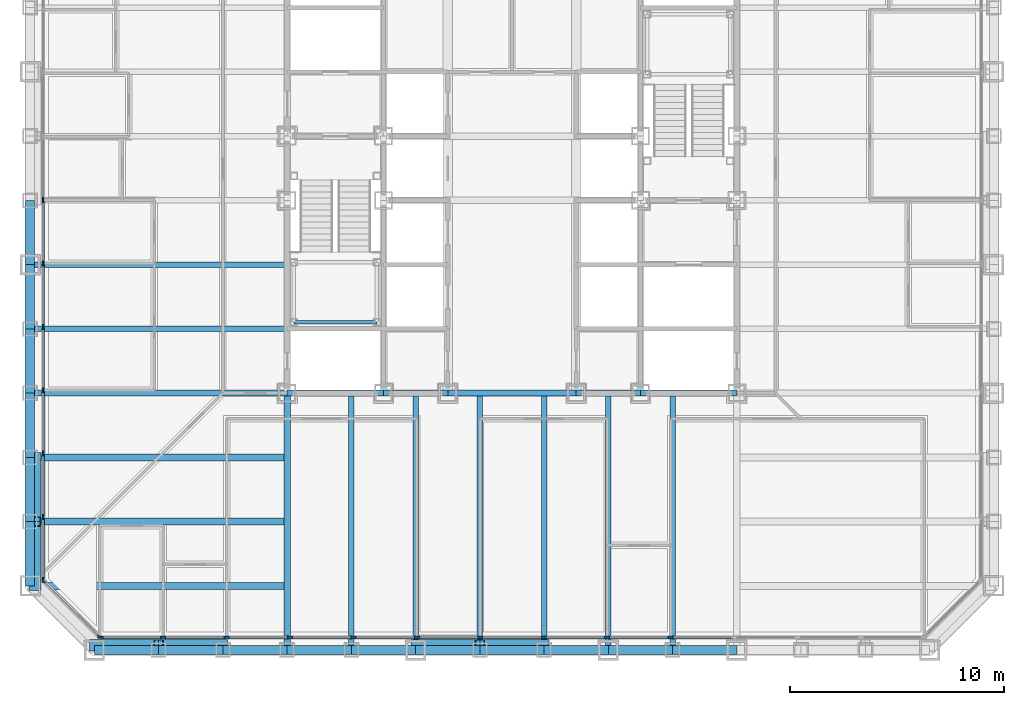
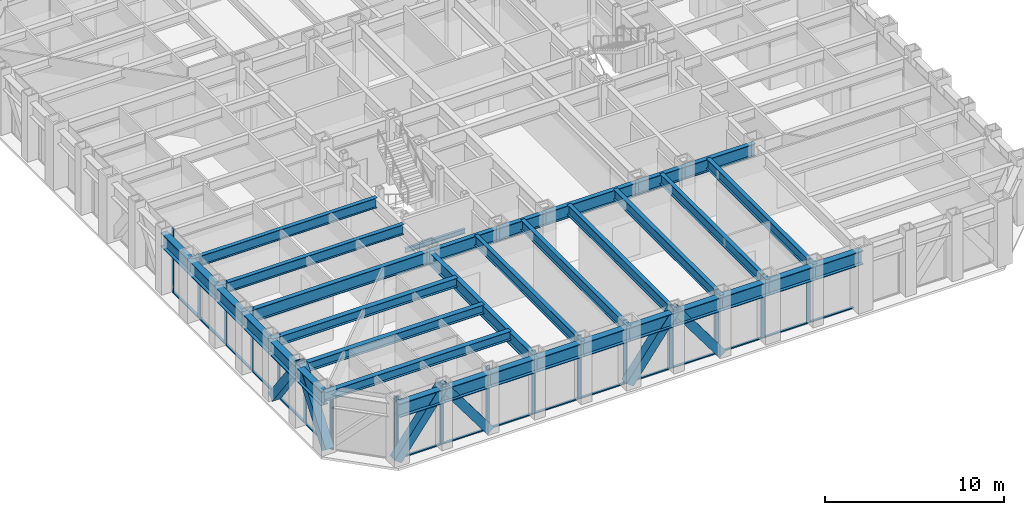
# One storey, part 2 of 17: 41 members, 35 beams, 3 elements without a shape of their own.
"""IFC4 building model written with IfcOpenShell, lengths in metres."""

from ifc_helpers import new_model, si_unit, direction, frame, origin, origin_2d, place, context, subcontext, project, spatial, rectangle, hollow_rectangle, i_section, extrude, material, layer, layer_set, material_profile, profile_set, type_object, element, aggregate, save


model = new_model("IFC4")

# Units and contexts
model_context = context("Model", 3, precision=1e-05, world=origin(), true_north=direction((0.0, 1.0)))
body_context = subcontext(model_context, "Body", "Model", "MODEL_VIEW")
ifc_project = project(units=[si_unit("LENGTHUNIT", "METRE"), si_unit("AREAUNIT", "SQUARE_METRE"), si_unit("VOLUMEUNIT", "CUBIC_METRE"), si_unit("PLANEANGLEUNIT", "RADIAN"), si_unit("MASSUNIT", "GRAM", prefix="KILO")], contexts=[model_context])

# Site, building, storey
site_placement = place(None, origin())
site = spatial("IfcSite", under=ifc_project, at=site_placement, CompositionType="ELEMENT")
building_placement = place(site_placement, origin())
building = spatial("IfcBuilding", under=site, at=building_placement, Name="Chuquiago Exchange Tower", CompositionType="ELEMENT")
storey_placement = place(building_placement, frame((0.0, 0.0, 69.300048828125)))
storey = spatial("IfcBuildingStorey", under=building, at=storey_placement, Name="L14", CompositionType="ELEMENT", Elevation=69.300048828125)

# Beams
ifc_material_1 = material(Name="Steel ASTM A992", Category="steel")
ifc_material_profile_1 = material_profile(ifc_material_1, i_section(OverallWidth=0.2919921875, OverallDepth=0.8583984375, WebThickness=0.01708984375, FlangeThickness=0.031005859375, at=origin_2d()), Name="W33X169")
ifc_profile_set_1 = profile_set([ifc_material_profile_1], Name="Steel ASTM A992")
beam_type_1 = type_object("IfcBeamType", Name="B3 W33X169", PredefinedType="BEAM", material=ifc_profile_set_1)
beam_1_placement = place(storey_placement, frame((12.0, 12.0, 3.610595703125), z_axis=(1.0, 0.0, 0.0), x_axis=(0.0, 1.0, 0.0)))
element("IfcBeam", 1, at=beam_1_placement, inside=storey, type_object=beam_type_1, Name="CB-L15-12_12-16.5_12", PredefinedType="BEAM", context=body_context, shape_type="SweptSolid", body=[
    extrude(i_section(OverallWidth=0.2919921875, OverallDepth=0.8583984375, WebThickness=0.01708984375, FlangeThickness=0.031005859375, at=origin_2d()), origin(), (0.0, 0.0, 1.0), 4.5),
])
beam_2_placement = place(storey_placement, frame((16.5, 12.0, 3.610595703125), z_axis=(1.0, 0.0, 0.0), x_axis=(0.0, 1.0, 0.0)))
element("IfcBeam", 2, at=beam_2_placement, inside=storey, type_object=beam_type_1, Name="CB-L15-16.5_12-19.5_12", PredefinedType="BEAM", context=body_context, shape_type="SweptSolid", body=[
    extrude(i_section(OverallWidth=0.2919921875, OverallDepth=0.8583984375, WebThickness=0.01708984375, FlangeThickness=0.031005859375, at=origin_2d()), origin(), (0.0, 0.0, 1.0), 3.0),
])
beam_3_placement = place(storey_placement, frame((19.5, 12.0, 3.610595703125), z_axis=(1.0, 0.0, 0.0), x_axis=(0.0, 1.0, 0.0)))
element("IfcBeam", 3, at=beam_3_placement, inside=storey, type_object=beam_type_1, Name="CB-L15-19.5_12-25.5_12", PredefinedType="BEAM", context=body_context, shape_type="SweptSolid", body=[
    extrude(i_section(OverallWidth=0.2919921875, OverallDepth=0.8583984375, WebThickness=0.01708984375, FlangeThickness=0.031005859375, at=origin_2d()), origin(), (0.0, 0.0, 1.0), 6.0),
])
beam_4_placement = place(storey_placement, frame((25.5, 12.0, 3.610595703125), z_axis=(1.0, 0.0, 0.0), x_axis=(0.0, 1.0, 0.0)))
element("IfcBeam", 4, at=beam_4_placement, inside=storey, type_object=beam_type_1, Name="CB-L15-25.5_12-28.5_12", PredefinedType="BEAM", context=body_context, shape_type="SweptSolid", body=[
    extrude(i_section(OverallWidth=0.2919921875, OverallDepth=0.8583984375, WebThickness=0.01708984375, FlangeThickness=0.031005859375, at=origin_2d()), origin(), (0.0, 0.0, 1.0), 3.0),
])
beam_5_placement = place(storey_placement, frame((28.5, 12.0, 3.610595703125), z_axis=(1.0, 0.0, 0.0), x_axis=(0.0, 1.0, 0.0)))
element("IfcBeam", 5, at=beam_5_placement, inside=storey, type_object=beam_type_1, Name="CB-L15-28.5_12-33_12", PredefinedType="BEAM", context=body_context, shape_type="SweptSolid", body=[
    extrude(i_section(OverallWidth=0.2919921875, OverallDepth=0.8583984375, WebThickness=0.01708984375, FlangeThickness=0.031005859375, at=origin_2d()), origin(), (0.0, 0.0, 1.0), 4.5),
])
ifc_material_2 = material(Name="Steel ASTM A992", Category="steel")
ifc_material_profile_2 = material_profile(ifc_material_2, i_section(OverallWidth=0.256591796875, OverallDepth=0.693359375, WebThickness=0.014404296875, FlangeThickness=0.023681640625, at=origin_2d()), Name="W27X114")
ifc_profile_set_2 = profile_set([ifc_material_profile_2], Name="Steel ASTM A992")
beam_type_2 = type_object("IfcBeamType", Name="B4 W27X114", PredefinedType="BEAM", material=ifc_profile_set_2)
for number, where, z_axis, x_axis, name in (
    (6, (15.0, 12.0, 3.693359375), (0.0, -1.0, 0.0), (1.0, 0.0, 0.0), "FB-L15-infill-15_12-15_-0-0"),
    (7, (18.0, 12.0, 3.693359375), (0.0, -1.0, 0.0), (1.0, 0.0, 0.0), "FB-L15-infill-18_12-18_-0-0"),
    (8, (21.0, 12.0, 3.693359375), (0.0, -1.0, 0.0), (1.0, 0.0, 0.0), "FB-L15-infill-21_12-21_-0-0"),
    (9, (24.0, 12.0, 3.693359375), (0.0, -1.0, 0.0), (1.0, 0.0, 0.0), "FB-L15-infill-24_12-24_-0-0"),
    (10, (27.0, 12.0, 3.693359375), (0.0, -1.0, 0.0), (1.0, 0.0, 0.0), "FB-L15-infill-27_12-27_-0-0"),
    (11, (30.0, 12.0, 3.693359375), (0.0, -1.0, 0.0), (1.0, 0.0, 0.0), "FB-L15-infill-30_12-30_-0-0"),
    (12, (12.0, 15.0, 3.693359375), (-1.0, 0.0, 0.0), (0.0, -1.0, 0.0), "FB-L15-infill-12_15--0_15-0"),
    (13, (12.0, 18.0, 3.693359375), (-1.0, 0.0, 0.0), (0.0, -1.0, 0.0), "FB-L15-infill-12_18--0_18-0"),
):
    element("IfcBeam", number, at=place(storey_placement, frame(where, z_axis=z_axis, x_axis=x_axis)), inside=storey, type_object=beam_type_2, Name=name, PredefinedType="BEAM", context=body_context, shape_type="SweptSolid", body=[
        extrude(i_section(OverallWidth=0.256591796875, OverallDepth=0.693359375, WebThickness=0.014404296875, FlangeThickness=0.023681640625, at=origin_2d()), origin(), (0.0, 0.0, 1.0), 12.0),
    ])
ifc_material_3 = material(Name="Steel ASTM A992", Category="steel")
ifc_material_profile_3 = material_profile(ifc_material_3, i_section(OverallWidth=0.3251953125, OverallDepth=0.6171875, WebThickness=0.013916015625, FlangeThickness=0.021484375, at=origin_2d()), Name="W24X117")
ifc_profile_set_3 = profile_set([ifc_material_profile_3], Name="Steel ASTM A992")
beam_type_3 = type_object("IfcBeamType", Name="B5 W24X117", PredefinedType="BEAM", material=ifc_profile_set_3)
for number, where, z_axis, x_axis, name in (
    (14, (12.0, 3.0, 3.7314453125), (-1.0, 0.0, 0.0), (0.0, -1.0, 0.0), "FB-L15-corner-12_3--0_3-0"),
    (15, (12.0, 6.0, 3.7314453125), (-1.0, 0.0, 0.0), (0.0, -1.0, 0.0), "FB-L15-corner-12_6--0_6-0"),
    (16, (12.0, 9.0, 3.7314453125), (-1.0, 0.0, 0.0), (0.0, -1.0, 0.0), "FB-L15-corner-12_9--0_9-0"),
):
    element("IfcBeam", number, at=place(storey_placement, frame(where, z_axis=z_axis, x_axis=x_axis)), inside=storey, type_object=beam_type_3, Name=name, PredefinedType="BEAM", context=body_context, shape_type="SweptSolid", body=[
        extrude(i_section(OverallWidth=0.3251953125, OverallDepth=0.6171875, WebThickness=0.013916015625, FlangeThickness=0.021484375, at=origin_2d()), origin(), (0.0, 0.0, 1.0), 12.0),
    ])

# Curtain wall, members
ifc_material_4 = material(Name="Aluminium curtain wall system", Category="aluminium")
ifc_layer_1 = layer(ifc_material_4, 0.25)
ifc_layer_set_1 = layer_set([ifc_layer_1], Name="CW1 trading floor curtain wall")
curtain_wall_type_1 = type_object("IfcCurtainWallType", Name="CW1 trading floor curtain wall", PredefinedType="NOTDEFINED", material=ifc_layer_set_1)
curtain_wall_1_placement = place(storey_placement, origin())
curtain_wall_1 = element("IfcCurtainWall", 17, at=curtain_wall_1_placement, inside=storey, type_object=curtain_wall_type_1, Name="CW1 curtain wall L14", PredefinedType="NOTDEFINED")
ifc_material_5 = material(Name="Aluminium mullion, pale anodised", Category="aluminium")
ifc_material_profile_4 = material_profile(ifc_material_5, rectangle(XDim=0.074951171875, YDim=0.25, at=origin_2d()), Name="AL 75x250")
ifc_profile_set_4 = profile_set([ifc_material_profile_4], Name="Aluminium mullion, pale anodised")
member_type_1 = type_object("IfcMemberType", Name="CW1-M mullion 75x250", PredefinedType="MULLION", material=ifc_profile_set_4)
member_1_placement = place(storey_placement, frame((3.285888671875, 0.60009765625, -0.300048828125), z_axis=(0.0, 0.0, 1.0), x_axis=(0.0, 1.0, 0.0)))
member_1 = element("IfcMember", 18, at=member_1_placement, type_object=member_type_1, Name="CW1 mullion 1", PredefinedType="MULLION", context=body_context, shape_type="SweptSolid", body=[
    extrude(rectangle(XDim=0.074951171875, YDim=0.25, at=origin_2d()), origin(), (0.0, 0.0, 1.0), 4.340087890625),
])
member_2_placement = place(storey_placement, frame((6.210205078125, 0.60009765625, -0.300048828125), z_axis=(0.0, 0.0, 1.0), x_axis=(0.0, 1.0, 0.0)))
member_2 = element("IfcMember", 19, at=member_2_placement, type_object=member_type_1, Name="CW1 mullion 2", PredefinedType="MULLION", context=body_context, shape_type="SweptSolid", body=[
    extrude(rectangle(XDim=0.074951171875, YDim=0.25, at=origin_2d()), origin(), (0.0, 0.0, 1.0), 4.340087890625),
])
member_3_placement = place(storey_placement, frame((9.172119140625, 0.60009765625, -0.300048828125), z_axis=(0.0, 0.0, 1.0), x_axis=(0.0, 1.0, 0.0)))
member_3 = element("IfcMember", 20, at=member_3_placement, type_object=member_type_1, Name="CW1 mullion 3", PredefinedType="MULLION", context=body_context, shape_type="SweptSolid", body=[
    extrude(rectangle(XDim=0.074951171875, YDim=0.25, at=origin_2d()), origin(), (0.0, 0.0, 1.0), 4.340087890625),
])
member_4_placement = place(storey_placement, frame((12.1337890625, 0.60009765625, -0.300048828125), z_axis=(0.0, 0.0, 1.0), x_axis=(0.0, 1.0, 0.0)))
member_4 = element("IfcMember", 21, at=member_4_placement, type_object=member_type_1, Name="CW1 mullion 4", PredefinedType="MULLION", context=body_context, shape_type="SweptSolid", body=[
    extrude(rectangle(XDim=0.074951171875, YDim=0.25, at=origin_2d()), origin(), (0.0, 0.0, 1.0), 4.340087890625),
])
member_5_placement = place(storey_placement, frame((15.095458984375, 0.60009765625, -0.300048828125), z_axis=(0.0, 0.0, 1.0), x_axis=(0.0, 1.0, 0.0)))
member_5 = element("IfcMember", 22, at=member_5_placement, type_object=member_type_1, Name="CW1 mullion 5", PredefinedType="MULLION", context=body_context, shape_type="SweptSolid", body=[
    extrude(rectangle(XDim=0.074951171875, YDim=0.25, at=origin_2d()), origin(), (0.0, 0.0, 1.0), 4.340087890625),
])
member_6_placement = place(storey_placement, frame((18.057373046875, 0.60009765625, -0.300048828125), z_axis=(0.0, 0.0, 1.0), x_axis=(0.0, 1.0, 0.0)))
member_6 = element("IfcMember", 23, at=member_6_placement, type_object=member_type_1, Name="CW1 mullion 6", PredefinedType="MULLION", context=body_context, shape_type="SweptSolid", body=[
    extrude(rectangle(XDim=0.074951171875, YDim=0.25, at=origin_2d()), origin(), (0.0, 0.0, 1.0), 4.340087890625),
])
member_7_placement = place(storey_placement, frame((21.01904296875, 0.60009765625, -0.300048828125), z_axis=(0.0, 0.0, 1.0), x_axis=(0.0, 1.0, 0.0)))
member_7 = element("IfcMember", 24, at=member_7_placement, type_object=member_type_1, Name="CW1 mullion 7", PredefinedType="MULLION", context=body_context, shape_type="SweptSolid", body=[
    extrude(rectangle(XDim=0.074951171875, YDim=0.25, at=origin_2d()), origin(), (0.0, 0.0, 1.0), 4.340087890625),
])
member_8_placement = place(storey_placement, frame((23.98095703125, 0.60009765625, -0.300048828125), z_axis=(0.0, 0.0, 1.0), x_axis=(0.0, 1.0, 0.0)))
member_8 = element("IfcMember", 25, at=member_8_placement, type_object=member_type_1, Name="CW1 mullion 8", PredefinedType="MULLION", context=body_context, shape_type="SweptSolid", body=[
    extrude(rectangle(XDim=0.074951171875, YDim=0.25, at=origin_2d()), origin(), (0.0, 0.0, 1.0), 4.340087890625),
])
member_9_placement = place(storey_placement, frame((26.942626953125, 0.60009765625, -0.300048828125), z_axis=(0.0, 0.0, 1.0), x_axis=(0.0, 1.0, 0.0)))
member_9 = element("IfcMember", 26, at=member_9_placement, type_object=member_type_1, Name="CW1 mullion 9", PredefinedType="MULLION", context=body_context, shape_type="SweptSolid", body=[
    extrude(rectangle(XDim=0.074951171875, YDim=0.25, at=origin_2d()), origin(), (0.0, 0.0, 1.0), 4.340087890625),
])
member_10_placement = place(storey_placement, frame((29.904541015625, 0.60009765625, -0.300048828125), z_axis=(0.0, 0.0, 1.0), x_axis=(0.0, 1.0, 0.0)))
member_10 = element("IfcMember", 27, at=member_10_placement, type_object=member_type_1, Name="CW1 mullion 10", PredefinedType="MULLION", context=body_context, shape_type="SweptSolid", body=[
    extrude(rectangle(XDim=0.074951171875, YDim=0.25, at=origin_2d()), origin(), (0.0, 0.0, 1.0), 4.340087890625),
])

curtain_wall_2_placement = place(storey_placement, origin())
curtain_wall_2 = element("IfcCurtainWall", 28, at=curtain_wall_2_placement, inside=storey, type_object=curtain_wall_type_1, Name="CW1 curtain wall L14", PredefinedType="NOTDEFINED")
member_11_placement = place(storey_placement, frame((0.60009765625, 21.01904296875, -0.300048828125), z_axis=(0.0, 0.0, 1.0), x_axis=(1.0, 0.0, 0.0)))
member_11 = element("IfcMember", 29, at=member_11_placement, type_object=member_type_1, Name="CW1 mullion 8", PredefinedType="MULLION", context=body_context, shape_type="SweptSolid", body=[
    extrude(rectangle(XDim=0.074951171875, YDim=0.25, at=origin_2d()), origin(), (0.0, 0.0, 1.0), 4.340087890625),
])
member_12_placement = place(storey_placement, frame((0.60009765625, 18.057373046875, -0.300048828125), z_axis=(0.0, 0.0, 1.0), x_axis=(1.0, 0.0, 0.0)))
member_12 = element("IfcMember", 30, at=member_12_placement, type_object=member_type_1, Name="CW1 mullion 9", PredefinedType="MULLION", context=body_context, shape_type="SweptSolid", body=[
    extrude(rectangle(XDim=0.074951171875, YDim=0.25, at=origin_2d()), origin(), (0.0, 0.0, 1.0), 4.340087890625),
])
member_13_placement = place(storey_placement, frame((0.60009765625, 15.095458984375, -0.300048828125), z_axis=(0.0, 0.0, 1.0), x_axis=(1.0, 0.0, 0.0)))
member_13 = element("IfcMember", 31, at=member_13_placement, type_object=member_type_1, Name="CW1 mullion 10", PredefinedType="MULLION", context=body_context, shape_type="SweptSolid", body=[
    extrude(rectangle(XDim=0.074951171875, YDim=0.25, at=origin_2d()), origin(), (0.0, 0.0, 1.0), 4.340087890625),
])
member_14_placement = place(storey_placement, frame((0.60009765625, 12.1337890625, -0.300048828125), z_axis=(0.0, 0.0, 1.0), x_axis=(1.0, 0.0, 0.0)))
member_14 = element("IfcMember", 32, at=member_14_placement, type_object=member_type_1, Name="CW1 mullion 11", PredefinedType="MULLION", context=body_context, shape_type="SweptSolid", body=[
    extrude(rectangle(XDim=0.074951171875, YDim=0.25, at=origin_2d()), origin(), (0.0, 0.0, 1.0), 4.340087890625),
])
member_15_placement = place(storey_placement, frame((0.60009765625, 9.172119140625, -0.300048828125), z_axis=(0.0, 0.0, 1.0), x_axis=(1.0, 0.0, 0.0)))
member_15 = element("IfcMember", 33, at=member_15_placement, type_object=member_type_1, Name="CW1 mullion 12", PredefinedType="MULLION", context=body_context, shape_type="SweptSolid", body=[
    extrude(rectangle(XDim=0.074951171875, YDim=0.25, at=origin_2d()), origin(), (0.0, 0.0, 1.0), 4.340087890625),
])
member_16_placement = place(storey_placement, frame((0.60009765625, 6.210205078125, -0.300048828125), z_axis=(0.0, 0.0, 1.0), x_axis=(1.0, 0.0, 0.0)))
member_16 = element("IfcMember", 34, at=member_16_placement, type_object=member_type_1, Name="CW1 mullion 13", PredefinedType="MULLION", context=body_context, shape_type="SweptSolid", body=[
    extrude(rectangle(XDim=0.074951171875, YDim=0.25, at=origin_2d()), origin(), (0.0, 0.0, 1.0), 4.340087890625),
])
member_17_placement = place(storey_placement, frame((0.60009765625, 3.285888671875, -0.300048828125), z_axis=(0.0, 0.0, 1.0), x_axis=(1.0, 0.0, 0.0)))
member_17 = element("IfcMember", 35, at=member_17_placement, type_object=member_type_1, Name="CW1 mullion 14", PredefinedType="MULLION", context=body_context, shape_type="SweptSolid", body=[
    extrude(rectangle(XDim=0.074951171875, YDim=0.25, at=origin_2d()), origin(), (0.0, 0.0, 1.0), 4.340087890625),
])

# Member
ifc_material_6 = material(Name="Aluminium transom, pale anodised", Category="aluminium")
ifc_material_profile_5 = material_profile(ifc_material_6, rectangle(XDim=0.14990234375, YDim=0.074951171875, at=origin_2d()), Name="AL 150x75")
ifc_profile_set_5 = profile_set([ifc_material_profile_5], Name="Aluminium transom, pale anodised")
member_type_2 = type_object("IfcMemberType", Name="CW1-T transom 75x150", PredefinedType="MULLION", material=ifc_profile_set_5)
member_18_placement = place(storey_placement, frame((3.323486328125, 0.60009765625, -0.262451171875), z_axis=(1.0, 0.0, 0.0), x_axis=(0.0, 1.0, 0.0)))
member_18 = element("IfcMember", 36, at=member_18_placement, type_object=member_type_2, Name="CW1 transom 1.1", PredefinedType="MULLION", context=body_context, shape_type="SweptSolid", body=[
    extrude(rectangle(XDim=0.14990234375, YDim=0.074951171875, at=origin_2d()), origin(), (0.0, 0.0, 1.0), 2.849365234375),
])

member_19_placement = place(storey_placement, frame((6.247802734375, 0.60009765625, -0.262451171875), z_axis=(1.0, 0.0, 0.0), x_axis=(0.0, 1.0, 0.0)))
member_19 = element("IfcMember", 37, at=member_19_placement, type_object=member_type_2, Name="CW1 transom 2.1", PredefinedType="MULLION", context=body_context, shape_type="SweptSolid", body=[
    extrude(rectangle(XDim=0.14990234375, YDim=0.074951171875, at=origin_2d()), origin(), (0.0, 0.0, 1.0), 2.88671875),
])

member_20_placement = place(storey_placement, frame((9.20947265625, 0.60009765625, -0.262451171875), z_axis=(1.0, 0.0, 0.0), x_axis=(0.0, 1.0, 0.0)))
member_20 = element("IfcMember", 38, at=member_20_placement, type_object=member_type_2, Name="CW1 transom 3.1", PredefinedType="MULLION", context=body_context, shape_type="SweptSolid", body=[
    extrude(rectangle(XDim=0.14990234375, YDim=0.074951171875, at=origin_2d()), origin(), (0.0, 0.0, 1.0), 2.88671875),
])

member_21_placement = place(storey_placement, frame((12.17138671875, 0.60009765625, -0.262451171875), z_axis=(1.0, 0.0, 0.0), x_axis=(0.0, 1.0, 0.0)))
member_21 = element("IfcMember", 39, at=member_21_placement, type_object=member_type_2, Name="CW1 transom 4.1", PredefinedType="MULLION", context=body_context, shape_type="SweptSolid", body=[
    extrude(rectangle(XDim=0.14990234375, YDim=0.074951171875, at=origin_2d()), origin(), (0.0, 0.0, 1.0), 2.88671875),
])

member_22_placement = place(storey_placement, frame((15.133056640625, 0.60009765625, -0.262451171875), z_axis=(1.0, 0.0, 0.0), x_axis=(0.0, 1.0, 0.0)))
member_22 = element("IfcMember", 40, at=member_22_placement, type_object=member_type_2, Name="CW1 transom 5.1", PredefinedType="MULLION", context=body_context, shape_type="SweptSolid", body=[
    extrude(rectangle(XDim=0.14990234375, YDim=0.074951171875, at=origin_2d()), origin(), (0.0, 0.0, 1.0), 2.88671875),
])

member_23_placement = place(storey_placement, frame((18.0947265625, 0.60009765625, -0.262451171875), z_axis=(1.0, 0.0, 0.0), x_axis=(0.0, 1.0, 0.0)))
member_23 = element("IfcMember", 41, at=member_23_placement, type_object=member_type_2, Name="CW1 transom 6.1", PredefinedType="MULLION", context=body_context, shape_type="SweptSolid", body=[
    extrude(rectangle(XDim=0.14990234375, YDim=0.074951171875, at=origin_2d()), origin(), (0.0, 0.0, 1.0), 2.886962890625),
])

member_24_placement = place(storey_placement, frame((21.056640625, 0.60009765625, -0.262451171875), z_axis=(1.0, 0.0, 0.0), x_axis=(0.0, 1.0, 0.0)))
member_24 = element("IfcMember", 42, at=member_24_placement, type_object=member_type_2, Name="CW1 transom 7.1", PredefinedType="MULLION", context=body_context, shape_type="SweptSolid", body=[
    extrude(rectangle(XDim=0.14990234375, YDim=0.074951171875, at=origin_2d()), origin(), (0.0, 0.0, 1.0), 2.88671875),
])

member_25_placement = place(storey_placement, frame((24.018310546875, 0.60009765625, -0.262451171875), z_axis=(1.0, 0.0, 0.0), x_axis=(0.0, 1.0, 0.0)))
member_25 = element("IfcMember", 43, at=member_25_placement, type_object=member_type_2, Name="CW1 transom 8.1", PredefinedType="MULLION", context=body_context, shape_type="SweptSolid", body=[
    extrude(rectangle(XDim=0.14990234375, YDim=0.074951171875, at=origin_2d()), origin(), (0.0, 0.0, 1.0), 2.886962890625),
])

member_26_placement = place(storey_placement, frame((26.980224609375, 0.60009765625, -0.262451171875), z_axis=(1.0, 0.0, 0.0), x_axis=(0.0, 1.0, 0.0)))
member_26 = element("IfcMember", 44, at=member_26_placement, type_object=member_type_2, Name="CW1 transom 9.1", PredefinedType="MULLION", context=body_context, shape_type="SweptSolid", body=[
    extrude(rectangle(XDim=0.14990234375, YDim=0.074951171875, at=origin_2d()), origin(), (0.0, 0.0, 1.0), 2.88671875),
])

member_27_placement = place(storey_placement, frame((29.94189453125, 0.60009765625, -0.262451171875), z_axis=(1.0, 0.0, 0.0), x_axis=(0.0, 1.0, 0.0)))
member_27 = element("IfcMember", 45, at=member_27_placement, type_object=member_type_2, Name="CW1 transom 10.1", PredefinedType="MULLION", context=body_context, shape_type="SweptSolid", body=[
    extrude(rectangle(XDim=0.14990234375, YDim=0.074951171875, at=origin_2d()), origin(), (0.0, 0.0, 1.0), 2.88671875),
])

aggregate(curtain_wall_1, [member_1, member_2, member_3, member_4, member_5, member_6, member_7, member_8, member_9, member_10, member_18, member_19, member_20, member_21, member_22, member_23, member_24, member_25, member_26, member_27])

member_28_placement = place(storey_placement, frame((0.60009765625, 20.981689453125, -0.262451171875), z_axis=(0.0, -1.0, 0.0), x_axis=(1.0, 0.0, 0.0)))
member_28 = element("IfcMember", 46, at=member_28_placement, type_object=member_type_2, Name="CW1 transom 8.1", PredefinedType="MULLION", context=body_context, shape_type="SweptSolid", body=[
    extrude(rectangle(XDim=0.14990234375, YDim=0.074951171875, at=origin_2d()), origin(), (0.0, 0.0, 1.0), 2.886962890625),
])

member_29_placement = place(storey_placement, frame((0.60009765625, 18.019775390625, -0.262451171875), z_axis=(0.0, -1.0, 0.0), x_axis=(1.0, 0.0, 0.0)))
member_29 = element("IfcMember", 47, at=member_29_placement, type_object=member_type_2, Name="CW1 transom 9.1", PredefinedType="MULLION", context=body_context, shape_type="SweptSolid", body=[
    extrude(rectangle(XDim=0.14990234375, YDim=0.074951171875, at=origin_2d()), origin(), (0.0, 0.0, 1.0), 2.88671875),
])

member_30_placement = place(storey_placement, frame((0.60009765625, 15.05810546875, -0.262451171875), z_axis=(0.0, -1.0, 0.0), x_axis=(1.0, 0.0, 0.0)))
member_30 = element("IfcMember", 48, at=member_30_placement, type_object=member_type_2, Name="CW1 transom 10.1", PredefinedType="MULLION", context=body_context, shape_type="SweptSolid", body=[
    extrude(rectangle(XDim=0.14990234375, YDim=0.074951171875, at=origin_2d()), origin(), (0.0, 0.0, 1.0), 2.88671875),
])

member_31_placement = place(storey_placement, frame((0.60009765625, 12.09619140625, -0.262451171875), z_axis=(0.0, -1.0, 0.0), x_axis=(1.0, 0.0, 0.0)))
member_31 = element("IfcMember", 49, at=member_31_placement, type_object=member_type_2, Name="CW1 transom 11.1", PredefinedType="MULLION", context=body_context, shape_type="SweptSolid", body=[
    extrude(rectangle(XDim=0.14990234375, YDim=0.074951171875, at=origin_2d()), origin(), (0.0, 0.0, 1.0), 2.88671875),
])

member_32_placement = place(storey_placement, frame((0.60009765625, 9.134521484375, -0.262451171875), z_axis=(0.0, -1.0, 0.0), x_axis=(1.0, 0.0, 0.0)))
member_32 = element("IfcMember", 50, at=member_32_placement, type_object=member_type_2, Name="CW1 transom 12.1", PredefinedType="MULLION", context=body_context, shape_type="SweptSolid", body=[
    extrude(rectangle(XDim=0.14990234375, YDim=0.074951171875, at=origin_2d()), origin(), (0.0, 0.0, 1.0), 2.88671875),
])

member_33_placement = place(storey_placement, frame((0.60009765625, 6.1728515625, -0.262451171875), z_axis=(0.0, -1.0, 0.0), x_axis=(1.0, 0.0, 0.0)))
member_33 = element("IfcMember", 51, at=member_33_placement, type_object=member_type_2, Name="CW1 transom 13.1", PredefinedType="MULLION", context=body_context, shape_type="SweptSolid", body=[
    extrude(rectangle(XDim=0.14990234375, YDim=0.074951171875, at=origin_2d()), origin(), (0.0, 0.0, 1.0), 2.849365234375),
])

aggregate(curtain_wall_2, [member_11, member_12, member_13, member_14, member_15, member_16, member_17, member_28, member_29, member_30, member_31, member_32, member_33])

# Curtain wall, members
ifc_material_7 = material(Name="Aluminium curtain wall system", Category="aluminium")
ifc_layer_2 = layer(ifc_material_7, 0.199951171875)
ifc_layer_set_2 = layer_set([ifc_layer_2], Name="CW3 facet curtain wall")
curtain_wall_type_2 = type_object("IfcCurtainWallType", Name="CW3 facet curtain wall", PredefinedType="NOTDEFINED", material=ifc_layer_set_2)
curtain_wall_3_placement = place(storey_placement, origin())
curtain_wall_3 = element("IfcCurtainWall", 52, at=curtain_wall_3_placement, inside=storey, type_object=curtain_wall_type_2, Name="CW3 curtain wall L14", PredefinedType="NOTDEFINED")
ifc_material_8 = material(Name="Aluminium mullion, pale anodised", Category="aluminium")
ifc_material_profile_6 = material_profile(ifc_material_8, rectangle(XDim=0.06494140625, YDim=0.199951171875, at=origin_2d()), Name="AL 65x200")
ifc_profile_set_6 = profile_set([ifc_material_profile_6], Name="Aluminium mullion, pale anodised")
member_type_3 = type_object("IfcMemberType", Name="CW3-M mullion 65x200", PredefinedType="MULLION", material=ifc_profile_set_6)
member_34_placement = place(storey_placement, frame((0.623046875, 3.2255859375, -0.300048828125), z_axis=(0.0, 0.0, 1.0), x_axis=(0.707106781187, 0.707106781187, 0.0)))
member_34 = element("IfcMember", 53, at=member_34_placement, type_object=member_type_3, Name="CW3 mullion 1", PredefinedType="MULLION", context=body_context, shape_type="SweptSolid", body=[
    extrude(rectangle(XDim=0.06494140625, YDim=0.199951171875, at=origin_2d()), origin(), (0.0, 0.0, 1.0), 4.340087890625),
])
member_35_placement = place(storey_placement, frame((3.2255859375, 0.623046875, -0.300048828125), z_axis=(0.0, 0.0, 1.0), x_axis=(0.707106781187, 0.707106781187, 0.0)))
member_35 = element("IfcMember", 54, at=member_35_placement, type_object=member_type_3, Name="CW3 mullion 2", PredefinedType="MULLION", context=body_context, shape_type="SweptSolid", body=[
    extrude(rectangle(XDim=0.06494140625, YDim=0.199951171875, at=origin_2d()), origin(), (0.0, 0.0, 1.0), 4.340087890625),
])
aggregate(curtain_wall_3, [member_34, member_35])

# Beams
ifc_material_9 = material(Name="Steel ASTM A992", Category="steel")
ifc_material_profile_7 = material_profile(ifc_material_9, i_section(OverallWidth=0.2919921875, OverallDepth=0.8583984375, WebThickness=0.01708984375, FlangeThickness=0.031005859375, at=origin_2d()), Name="W33X169")
ifc_profile_set_7 = profile_set([ifc_material_profile_7], Name="Steel ASTM A992")
beam_type_4 = type_object("IfcBeamType", Name="G2 W33X169", PredefinedType="BEAM", material=ifc_profile_set_7)
for number, where, z_axis, x_axis, name in (
    (55, (12.0, 12.0, 3.610595703125), (0.0, -1.0, 0.0), (1.0, 0.0, 0.0), "FB-L15-girder-12_12-12_-0-0"),
    (56, (12.0, 12.0, 3.610595703125), (-1.0, 0.0, 0.0), (0.0, -1.0, 0.0), "FB-L15-girder-12_12--0_12-0"),
):
    element("IfcBeam", number, at=place(storey_placement, frame(where, z_axis=z_axis, x_axis=x_axis)), inside=storey, type_object=beam_type_4, Name=name, PredefinedType="BEAM", context=body_context, shape_type="SweptSolid", body=[
        extrude(i_section(OverallWidth=0.2919921875, OverallDepth=0.8583984375, WebThickness=0.01708984375, FlangeThickness=0.031005859375, at=origin_2d()), origin(), (0.0, 0.0, 1.0), 12.0),
    ])
ifc_material_10 = material(Name="Steel ASTM A992", Category="steel")
ifc_material_profile_8 = material_profile(ifc_material_10, i_section(OverallWidth=0.164794921875, OverallDepth=0.309814453125, WebThickness=0.005859375, FlangeThickness=0.009765625, at=origin_2d()), Name="W12X26")
ifc_profile_set_8 = profile_set([ifc_material_profile_8], Name="Steel ASTM A992")
beam_type_5 = type_object("IfcBeamType", Name="LT1 W12X26", PredefinedType="BEAM", material=ifc_profile_set_8)
beam_6_placement = place(storey_placement, frame((12.31005859375, 15.31005859375, 1.89501953125), z_axis=(1.0, 0.0, 0.0), x_axis=(0.0, 1.0, 0.0)))
element("IfcBeam", 57, at=beam_6_placement, inside=storey, type_object=beam_type_5, Name="Stair ST1 L14 landing 1 trimmer", PredefinedType="BEAM", context=body_context, shape_type="SweptSolid", body=[
    extrude(i_section(OverallWidth=0.164794921875, OverallDepth=0.309814453125, WebThickness=0.005859375, FlangeThickness=0.009765625, at=origin_2d()), origin(), (0.0, 0.0, 1.0), 3.8798828125),
])

# Members
ifc_material_11 = material(Name="Steel ASTM A572 Grade 50", Category="steel")
ifc_material_profile_9 = material_profile(ifc_material_11, hollow_rectangle(XDim=0.550048828125, YDim=0.550048828125, WallThickness=0.044921875, at=origin_2d()), Name="BOX550X550X45")
ifc_profile_set_9 = profile_set([ifc_material_profile_9], Name="Steel ASTM A572 Grade 50")
member_type_4 = type_object("IfcMemberType", Name="MB1 BOX550X550X45", PredefinedType="BRACE", material=ifc_profile_set_9)
for number, where, z_axis, x_axis, name in (
    (58, (3.0, 0.22998046875, 0.0), (0.596173923302, 0.0, 0.802855312728), (0.0, 1.0, 0.0), "Mega diagonal L14 S face"),
    (59, (9.0, 0.22998046875, 0.0), (-0.596173923302, 0.0, 0.802855312728), (0.0, -1.0, 0.0), "Mega diagonal L14 S face"),
    (60, (18.0, 0.22998046875, 0.0), (0.596173923302, 0.0, 0.802855312728), (0.0, 1.0, 0.0), "Mega diagonal L14 S face"),
    (61, (24.0, 0.22998046875, 0.0), (-0.596173923302, 0.0, 0.802855312728), (0.0, -1.0, 0.0), "Mega diagonal L14 S face"),
    (62, (0.22998046875, 9.0, 0.0), (0.0, -0.596173923302, 0.802855312728), (1.0, 0.0, 0.0), "Mega diagonal L14 W face"),
    (63, (0.22998046875, 3.0, 0.0), (0.0, 0.596173923302, 0.802855312728), (-1.0, 0.0, 0.0), "Mega diagonal L14 W face"),
):
    element("IfcMember", number, at=place(storey_placement, frame(where, z_axis=z_axis, x_axis=x_axis)), inside=storey, type_object=member_type_4, Name=name, PredefinedType="BRACE", context=body_context, shape_type="SweptSolid", body=[
        extrude(hollow_rectangle(XDim=0.550048828125, YDim=0.550048828125, WallThickness=0.044921875, at=origin_2d()), origin(), (0.0, 0.0, 1.0), 5.031982421875),
    ])

# Beams
ifc_material_12 = material(Name="Steel ASTM A992", Category="steel")
ifc_material_profile_10 = material_profile(ifc_material_12, i_section(OverallWidth=0.424072265625, OverallDepth=0.947509765625, WebThickness=0.02392578125, FlangeThickness=0.042724609375, at=origin_2d()), Name="W36X302")
ifc_profile_set_10 = profile_set([ifc_material_profile_10], Name="Steel ASTM A992")
beam_type_6 = type_object("IfcBeamType", Name="SP1 W36X302", PredefinedType="SPANDREL", material=ifc_profile_set_10)
for number, where, z_axis, x_axis, name in (
    (64, (3.0, 0.0, 3.566162109375), (1.0, 0.0, 0.0), (0.0, 1.0, 0.0), "SPB-L15-3_0-6_0"),
    (65, (6.0, 0.0, 3.566162109375), (1.0, 0.0, 0.0), (0.0, 1.0, 0.0), "SPB-L15-6_0-9_0"),
    (66, (9.0, 0.0, 3.566162109375), (1.0, 0.0, 0.0), (0.0, 1.0, 0.0), "SPB-L15-9_0-12_0"),
    (67, (12.0, 0.0, 3.566162109375), (1.0, 0.0, 0.0), (0.0, 1.0, 0.0), "SPB-L15-12_0-15_0"),
    (68, (15.0, 0.0, 3.566162109375), (1.0, 0.0, 0.0), (0.0, 1.0, 0.0), "SPB-L15-15_0-18_0"),
    (69, (18.0, 0.0, 3.566162109375), (1.0, 0.0, 0.0), (0.0, 1.0, 0.0), "SPB-L15-18_0-21_0"),
    (70, (21.0, 0.0, 3.566162109375), (1.0, 0.0, 0.0), (0.0, 1.0, 0.0), "SPB-L15-21_0-24_0"),
    (71, (24.0, 0.0, 3.566162109375), (1.0, 0.0, 0.0), (0.0, 1.0, 0.0), "SPB-L15-24_0-27_0"),
    (72, (27.0, 0.0, 3.566162109375), (1.0, 0.0, 0.0), (0.0, 1.0, 0.0), "SPB-L15-27_0-30_0"),
    (73, (30.0, 0.0, 3.566162109375), (1.0, 0.0, 0.0), (0.0, 1.0, 0.0), "SPB-L15-30_0-33_0"),
    (74, (0.0, 21.0, 3.566162109375), (0.0, -1.0, 0.0), (1.0, 0.0, 0.0), "SPB-L15-0_21-0_18"),
    (75, (0.0, 18.0, 3.566162109375), (0.0, -1.0, 0.0), (1.0, 0.0, 0.0), "SPB-L15-0_18-0_15"),
    (76, (0.0, 15.0, 3.566162109375), (0.0, -1.0, 0.0), (1.0, 0.0, 0.0), "SPB-L15-0_15-0_12"),
    (77, (0.0, 12.0, 3.566162109375), (0.0, -1.0, 0.0), (1.0, 0.0, 0.0), "SPB-L15-0_12-0_9"),
    (78, (0.0, 9.0, 3.566162109375), (0.0, -1.0, 0.0), (1.0, 0.0, 0.0), "SPB-L15-0_9-0_6"),
    (79, (0.0, 6.0, 3.566162109375), (0.0, -1.0, 0.0), (1.0, 0.0, 0.0), "SPB-L15-0_6-0_3"),
):
    element("IfcBeam", number, at=place(storey_placement, frame(where, z_axis=z_axis, x_axis=x_axis)), inside=storey, type_object=beam_type_6, Name=name, PredefinedType="SPANDREL", context=body_context, shape_type="SweptSolid", body=[
        extrude(i_section(OverallWidth=0.424072265625, OverallDepth=0.947509765625, WebThickness=0.02392578125, FlangeThickness=0.042724609375, at=origin_2d()), origin(), (0.0, 0.0, 1.0), 3.0),
    ])

save(model, "model.ifc")
